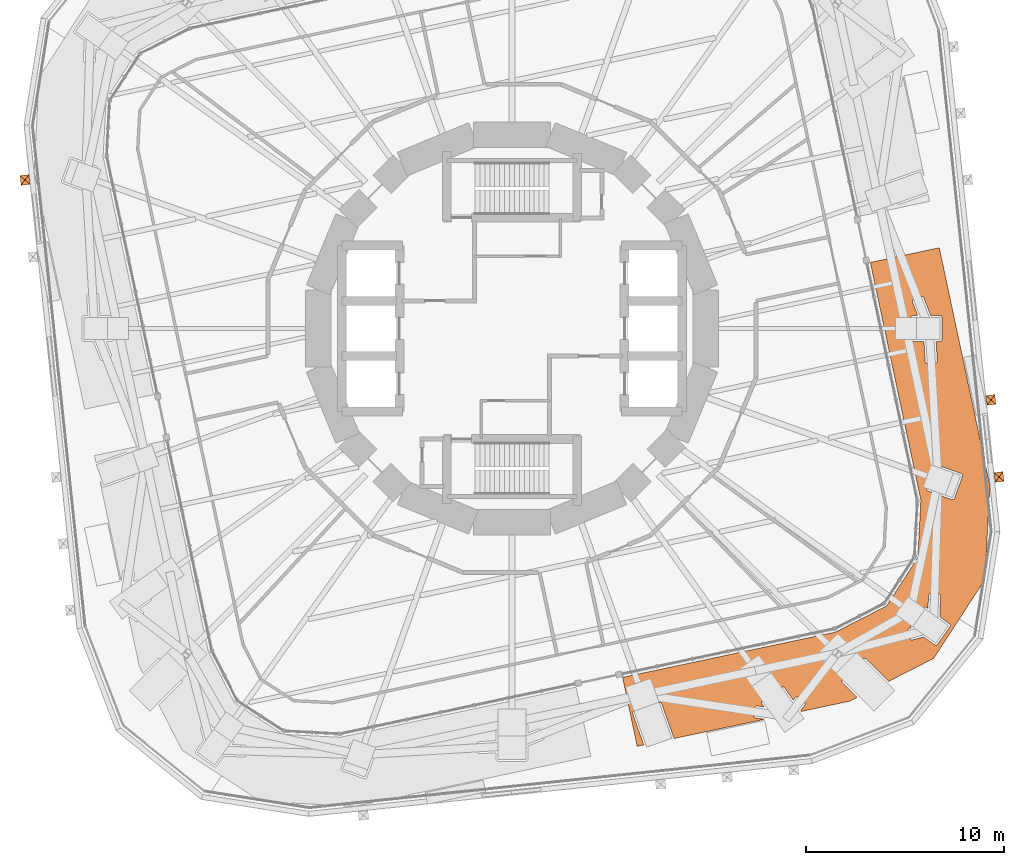
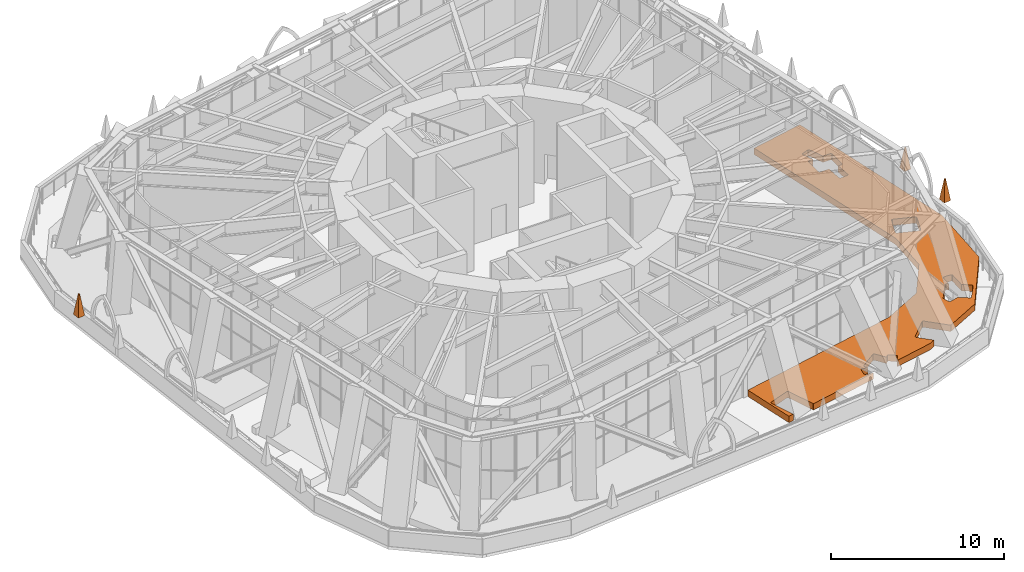
# One storey, part 21 of 23: 4 proxies.
"""IFC4 building model written with IfcOpenShell, lengths in metres."""

import ifcopenshell
import ifcopenshell.guid

model = None  # the IFC model being written
_history = None  # IfcOwnerHistory: only IFC2X3 demands one
_inside = {}  # id of a spatial element -> (the spatial element, [elements in it])
_under = {}  # id of a project, library or spatial element -> (it, [spatial elements below it])
_declared = {}  # id of a project -> (the project, [libraries it declares])
_typed = {}  # id of a type object -> (the type object, [elements of that type])
_made_of = {}  # id of a material, layer set ... -> (it, [elements and type objects made of it])


def new_model(schema):
    """Start an empty IFC model of exactly this schema.

    Asked for "IFC4X3", IfcOpenShell would pick the latest addendum, in which some entities
    have other attributes; the version numbers below select the first issue.
    IFC2X3 requires an IfcOwnerHistory on every rooted entity: one is made here for all.
    """
    global model, _history
    if schema == "IFC4X3":
        model = ifcopenshell.file(schema_version=(4, 3, 0, 0))
    else:
        model = ifcopenshell.file(schema=schema)
    _inside.clear()
    _under.clear()
    _declared.clear()
    _typed.clear()
    _made_of.clear()
    _history = None
    if model.schema == "IFC2X3":
        org = make("IfcOrganization", Name="unknown")
        user = make(
            "IfcPersonAndOrganization",
            ThePerson=make("IfcPerson", FamilyName="unknown"),
            TheOrganization=org,
        )
        app = make(
            "IfcApplication",
            ApplicationDeveloper=org,
            Version="unknown",
            ApplicationFullName="unknown",
            ApplicationIdentifier="unknown",
        )
        _history = make(
            "IfcOwnerHistory",
            OwningUser=user,
            OwningApplication=app,
            ChangeAction="ADDED",
            CreationDate=0,
        )
    return model


def make(cls, **values):
    """One entity of the class cls with the attributes given. An attribute that is None is left unset."""
    return model.create_entity(
        cls, **{name: value for name, value in values.items() if value is not None}
    )


def entity(cls, *values):
    """Any entity or typed value of the class cls, its attributes in the order of the schema. None: left unset."""
    e = model.create_entity(cls)
    for i, value in enumerate(values):
        if value is not None:
            e[i] = value
    return e


def rooted(cls, **values):
    """An entity with a GlobalId (a new one), such as an element, a storey or a relation."""
    return make(cls, GlobalId=ifcopenshell.guid.new(), OwnerHistory=_history, **values)


def si_unit(unit_type, name, prefix=None):
    """IfcSIUnit, for example si_unit("LENGTHUNIT", "METRE", prefix="MILLI")."""
    return make("IfcSIUnit", UnitType=unit_type, Prefix=prefix, Name=name)


def assignment(units):
    """IfcUnitAssignment: the units of a project."""
    return None if units is None else make("IfcUnitAssignment", Units=units)


def point(xyz):
    """IfcCartesianPoint."""
    return None if xyz is None else make("IfcCartesianPoint", Coordinates=xyz)


def direction(xyz):
    """IfcDirection."""
    return None if xyz is None else make("IfcDirection", DirectionRatios=xyz)


def frame(location, z_axis=None, x_axis=None):
    """IfcAxis2Placement3D, a coordinate frame: its origin and axes. An axis left out is left unset."""
    return make(
        "IfcAxis2Placement3D",
        Location=point(location),
        Axis=direction(z_axis),
        RefDirection=direction(x_axis),
    )


def origin():
    """The frame at (0, 0, 0) with its axes left unset."""
    return frame((0.0, 0.0, 0.0))


def place(relative_to, where):
    """IfcLocalPlacement: puts the frame where relative to a parent placement (None: the world)."""
    return make(
        "IfcLocalPlacement", PlacementRelTo=relative_to, RelativePlacement=where
    )


def context(
    kind, dimensions, precision=None, world=None, true_north=None, identifier=None
):
    """IfcGeometricRepresentationContext, for example the 3D "Model" context."""
    return make(
        "IfcGeometricRepresentationContext",
        ContextIdentifier=identifier,
        ContextType=kind,
        CoordinateSpaceDimension=dimensions,
        Precision=precision,
        WorldCoordinateSystem=world,
        TrueNorth=true_north,
    )


def subcontext(parent, identifier, kind, view, scale=None):
    """IfcGeometricRepresentationSubContext, for example "Body" below "Model"."""
    return make(
        "IfcGeometricRepresentationSubContext",
        ContextIdentifier=identifier,
        ContextType=kind,
        ParentContext=parent,
        TargetScale=scale,
        TargetView=view,
    )


def project(units=None, contexts=None):
    """IfcProject with its units and contexts."""
    return rooted(
        "IfcProject",
        Name="project",
        RepresentationContexts=contexts,
        UnitsInContext=assignment(units),
    )


def spatial(cls, under=None, at=None, **own):
    """A site, building, storey or space (cls), placed at a placement, below another one or the project."""
    s = rooted(cls, ObjectPlacement=at, **own)
    if under is not None:
        _under.setdefault(under.id(), (under, []))[1].append(s)
    return s


def polyline(points):
    """IfcPolyline through the points."""
    return make("IfcPolyline", Points=[point(p) for p in points])


def outline(outer, holes=None, kind="AREA"):
    """IfcArbitraryClosedProfileDef: a profile drawn as a closed curve; with holes, ...WithVoids."""
    if holes is None:
        return make("IfcArbitraryClosedProfileDef", ProfileType=kind, OuterCurve=outer)
    return make(
        "IfcArbitraryProfileDefWithVoids",
        ProfileType=kind,
        OuterCurve=outer,
        InnerCurves=holes,
    )


def extrude(swept, where, along, depth):
    """IfcExtrudedAreaSolid: the profile swept, set in the frame where, extruded along a direction by depth."""
    return make(
        "IfcExtrudedAreaSolid",
        SweptArea=swept,
        Position=where,
        ExtrudedDirection=direction(along),
        Depth=depth,
    )


def shape(context_of_items, identifier, shape_type, items):
    """IfcShapeRepresentation: the items that make up one representation, for example the "Body"."""
    return make(
        "IfcShapeRepresentation",
        ContextOfItems=context_of_items,
        RepresentationIdentifier=identifier,
        RepresentationType=shape_type,
        Items=items,
    )


def material(Name=None, Category=None):
    """IfcMaterial."""
    return make("IfcMaterial", Name=Name, Category=Category)


def made_of(thing, what):
    """Note that an element or type object is made of a material, layer set ...; save() writes the relation."""
    if what is not None:
        _made_of.setdefault(what.id(), (what, []))[1].append(thing)
    return thing


def type_object(cls, material=None, **own):
    """A type object (cls), such as IfcWallType, which elements share."""
    return made_of(rooted(cls, **own), material)


def element(
    cls,
    number,
    at=None,
    inside=None,
    cuts=None,
    type_object=None,
    material=None,
    context=None,
    identifier="Body",
    shape_type=None,
    held_by="IfcProductDefinitionShape",
    body=None,
    shapes=None,
    **own,
):
    """One element of the class cls, such as IfcWall. Its Tag is "e" and its number.

    at: its placement. inside: the storey or other place that contains it. cuts: it is an
    opening in that element (IfcRelVoidsElement). A single representation is given by context,
    identifier, shape_type and body (its items); several are given by shapes. held_by: the class
    of the entity that holds the representations. save() writes the other relations.
    """
    e = rooted(cls, Tag="e%d" % number, ObjectPlacement=at, **own)
    if body is not None:
        shapes = [shape(context, identifier, shape_type, body)]
    if shapes is not None:
        e.Representation = make(held_by, Representations=shapes)
    if inside is not None:
        _inside.setdefault(inside.id(), (inside, []))[1].append(e)
    if cuts is not None:
        rooted(
            "IfcRelVoidsElement", RelatingBuildingElement=cuts, RelatedOpeningElement=e
        )
    if type_object is not None:
        _typed.setdefault(type_object.id(), (type_object, []))[1].append(e)
    return made_of(e, material)


def aggregate(whole, parts):
    """IfcRelAggregates: a whole, such as a stair, and the parts it consists of."""
    return rooted("IfcRelAggregates", RelatingObject=whole, RelatedObjects=parts)


def save(model, path):
    """Write the relations noted so far, then the file.

    IfcRelAggregates (storeys below a building ...), IfcRelContainedInSpatialStructure (elements
    in a storey), IfcRelDefinesByType, IfcRelAssociatesMaterial and IfcRelDeclares: one each for
    every whole, place, type object, material and project.
    """
    for whole, parts in _under.values():
        aggregate(whole, parts)
    for where, things in _inside.values():
        rooted(
            "IfcRelContainedInSpatialStructure",
            RelatedElements=things,
            RelatingStructure=where,
        )
    for kind, things in _typed.values():
        rooted("IfcRelDefinesByType", RelatedObjects=things, RelatingType=kind)
    for what, things in _made_of.values():
        rooted("IfcRelAssociatesMaterial", RelatedObjects=things, RelatingMaterial=what)
    for by, libraries in _declared.values():
        rooted("IfcRelDeclares", RelatingContext=by, RelatedDefinitions=libraries)
    model.write(path)


model = new_model("IFC4")

# Units and contexts
model_context = context("Model", 3, precision=1e-05, world=origin(), true_north=direction((0.0, 1.0)))
body_context = subcontext(model_context, "Body", "Model", "MODEL_VIEW")
ifc_project = project(units=[si_unit("LENGTHUNIT", "METRE"), si_unit("AREAUNIT", "SQUARE_METRE"), si_unit("VOLUMEUNIT", "CUBIC_METRE"), si_unit("PLANEANGLEUNIT", "RADIAN"), si_unit("MASSUNIT", "GRAM", prefix="KILO")], contexts=[model_context])

# Site, building, storey
site_placement = place(None, origin())
site = spatial("IfcSite", under=ifc_project, at=site_placement, CompositionType="ELEMENT")
building_placement = place(site_placement, origin())
building = spatial("IfcBuilding", under=site, at=building_placement, Name="Nakasero Lantern House", CompositionType="ELEMENT")
storey_placement = place(building_placement, frame((0.0, 0.0, 95.14990234375)))
storey = spatial("IfcBuildingStorey", under=building, at=storey_placement, Name="L23", CompositionType="ELEMENT", Elevation=95.14990234375)

# Proxies
ifc_material_1 = material(Name="Concrete C40/50 precast", Category="concrete")
building_element_proxy_type_1 = type_object("IfcBuildingElementProxyType", Name="Pinnacle 500x450", PredefinedType="USERDEFINED", material=ifc_material_1)
for number, where, z_axis, x_axis, name in (
    (1, (24.6455078125, -7.514404296875, 1.10009765625), (0.0, 0.0, 1.0), (0.994521895368, 0.104528463268, 0.0), "Pinnacle B2 0-00"),
    (2, (24.235595703125, -3.61474609375, 1.10009765625), (0.0, 0.0, 1.0), (0.994521895368, 0.104528463268, 0.0), "Pinnacle B2 0-01"),
    (3, (-24.6455078125, 7.514404296875, 1.10009765625), (0.0, 0.0, 1.0), (-0.994521895368, -0.104528463268, 0.0), "Pinnacle B2 2-00"),
):
    element("IfcBuildingElementProxy", number, at=place(storey_placement, frame(where, z_axis=z_axis, x_axis=x_axis)), inside=storey, type_object=building_element_proxy_type_1, Name=name, ObjectType="PINNACLE", PredefinedType="USERDEFINED", context=body_context, shape_type="SweptSolid", body=[
        entity("IfcExtrudedAreaSolidTapered", entity("IfcRectangleProfileDef", "AREA", None, entity("IfcAxis2Placement2D", entity("IfcCartesianPoint", [0.0, 0.0])), 0.449951171875, 0.5), entity("IfcAxis2Placement3D", entity("IfcCartesianPoint", [0.0, 0.0, 0.0])), entity("IfcDirection", [0.0, 0.0, 1.0]), 1.5, entity("IfcRectangleProfileDef", "AREA", None, entity("IfcAxis2Placement2D", entity("IfcCartesianPoint", [0.0, 0.0])), 0.06005859375, 0.06005859375)),
    ])
ifc_material_2 = material(Name="Planting substrate", Category="soil")
building_element_proxy_type_2 = type_object("IfcBuildingElementProxyType", Name="Planter bed 450", PredefinedType="USERDEFINED", material=ifc_material_2)
proxy_placement = place(storey_placement, origin())
element("IfcBuildingElementProxy", 4, at=proxy_placement, inside=storey, type_object=building_element_proxy_type_2, Name="Planter bed L23 2-1", ObjectType="PLANTER BED", PredefinedType="USERDEFINED", context=body_context, shape_type="SweptSolid", body=[
    extrude(outline(polyline([(19.05908203125, -17.85693359375), (17.924560546875, -16.72265625), (17.91748046875, -16.716064453125), (17.909423828125, -16.710205078125), (17.901123046875, -16.705078125), (17.892333984375, -16.700927734375), (17.883056640625, -16.697509765625), (17.87353515625, -16.6953125), (17.86376953125, -16.69384765625), (17.85400390625, -16.693359375), (17.84423828125, -16.69384765625), (17.83447265625, -16.6953125), (17.824951171875, -16.697509765625), (17.815673828125, -16.700927734375), (17.806884765625, -16.705078125), (17.79833984375, -16.710205078125), (17.79052734375, -16.716064453125), (17.783203125, -16.72265625), (16.72265625, -17.783203125), (16.716064453125, -17.79052734375), (16.710205078125, -17.79833984375), (16.705078125, -17.806884765625), (16.700927734375, -17.815673828125), (16.697509765625, -17.824951171875), (16.6953125, -17.83447265625), (16.69384765625, -17.84423828125), (16.693359375, -17.85400390625), (16.69384765625, -17.86376953125), (16.6953125, -17.87353515625), (16.697509765625, -17.883056640625), (16.700927734375, -17.892333984375), (16.705078125, -17.901123046875), (16.710205078125, -17.909423828125), (16.716064453125, -17.91748046875), (16.72265625, -17.924560546875), (17.46630859375, -18.66845703125), (17.09423828125, -18.85791015625), (14.64013671875, -19.379638671875), (14.603515625, -19.328125), (14.816650390625, -19.051513671875), (14.822265625, -19.04345703125), (14.826904296875, -19.034912109375), (14.830810546875, -19.02587890625), (14.833984375, -19.0166015625), (14.8359375, -19.0068359375), (14.837158203125, -18.9970703125), (14.83740234375, -18.9873046875), (14.836669921875, -18.9775390625), (14.834716796875, -18.968017578125), (14.83203125, -18.95849609375), (14.82861328125, -18.949462890625), (14.823974609375, -18.940673828125), (14.81884765625, -18.932373046875), (14.812744140625, -18.924560546875), (14.805908203125, -18.91748046875), (14.79833984375, -18.9111328125), (14.471923828125, -18.65966796875), (14.4638671875, -18.654052734375), (14.455322265625, -18.6494140625), (14.4462890625, -18.6455078125), (14.43701171875, -18.642333984375), (14.42724609375, -18.640380859375), (14.41748046875, -18.63916015625), (14.40771484375, -18.638916015625), (14.39794921875, -18.6396484375), (14.388427734375, -18.6416015625), (14.37890625, -18.644287109375), (14.36962890625, -18.647705078125), (14.361083984375, -18.65234375), (14.352783203125, -18.657470703125), (14.344970703125, -18.66357421875), (14.337890625, -18.67041015625), (14.33154296875, -18.677978515625), (14.232421875, -18.806640625), (13.792236328125, -18.1875), (13.786376953125, -18.179931640625), (13.779541015625, -18.1728515625), (13.77197265625, -18.16650390625), (13.763916015625, -18.160888671875), (13.75537109375, -18.156005859375), (13.746337890625, -18.152099609375), (13.737060546875, -18.149169921875), (13.7275390625, -18.14697265625), (13.7177734375, -18.145751953125), (13.7080078125, -18.1455078125), (13.6982421875, -18.146484375), (13.6884765625, -18.148193359375), (13.678955078125, -18.150634765625), (13.669921875, -18.154296875), (13.6611328125, -18.15869140625), (13.65283203125, -18.1640625), (12.675048828125, -18.859375), (12.667236328125, -18.865478515625), (12.66015625, -18.872314453125), (12.65380859375, -18.8798828125), (12.648193359375, -18.887939453125), (12.643310546875, -18.896484375), (12.639404296875, -18.905517578125), (12.636474609375, -18.914794921875), (12.63427734375, -18.92431640625), (12.633056640625, -18.93408203125), (12.633056640625, -18.94384765625), (12.6337890625, -18.95361328125), (12.635498046875, -18.96337890625), (12.63818359375, -18.972900390625), (12.6416015625, -18.98193359375), (12.646240234375, -18.99072265625), (12.6513671875, -18.9990234375), (12.7626953125, -19.155517578125), (12.410400390625, -19.102294921875), (12.400634765625, -19.101318359375), (12.390625, -19.101318359375), (12.380859375, -19.102294921875), (12.371337890625, -19.104248046875), (12.36181640625, -19.107177734375), (12.352783203125, -19.11083984375), (12.34423828125, -19.115478515625), (12.3359375, -19.120849609375), (12.328369140625, -19.126953125), (12.321533203125, -19.134033203125), (12.315185546875, -19.1416015625), (12.309814453125, -19.149658203125), (12.30517578125, -19.158447265625), (12.30126953125, -19.16748046875), (12.29833984375, -19.1767578125), (12.296630859375, -19.186279296875), (12.235107421875, -19.593994140625), (12.234130859375, -19.603759765625), (12.234130859375, -19.613525390625), (12.235107421875, -19.623291015625), (12.23681640625, -19.633056640625), (12.23974609375, -19.642333984375), (12.243408203125, -19.6513671875), (12.248046875, -19.66015625), (12.25341796875, -19.668212890625), (12.259765625, -19.67578125), (12.2666015625, -19.682861328125), (12.274169921875, -19.68896484375), (12.282470703125, -19.694580078125), (12.291015625, -19.69921875), (12.300048828125, -19.702880859375), (12.309326171875, -19.705810546875), (12.319091796875, -19.707763671875), (12.589599609375, -19.74853515625), (12.77392578125, -19.7763671875), (8.18701171875, -20.751220703125), (8.1875, -20.7490234375), (8.1884765625, -20.7392578125), (8.1884765625, -20.7294921875), (8.1875, -20.7197265625), (8.185546875, -20.710205078125), (8.182861328125, -20.70068359375), (7.752197265625, -19.489990234375), (7.573974609375, -18.988525390625), (7.5703125, -18.9794921875), (7.565673828125, -18.970947265625), (7.560302734375, -18.962646484375), (7.553955078125, -18.955078125), (7.547119140625, -18.9482421875), (7.53955078125, -18.94189453125), (7.531494140625, -18.9365234375), (7.522705078125, -18.931884765625), (7.513671875, -18.927978515625), (7.50439453125, -18.925048828125), (7.49462890625, -18.923095703125), (7.48486328125, -18.922119140625), (7.47509765625, -18.922119140625), (7.46533203125, -18.923095703125), (7.455810546875, -18.925048828125), (7.4462890625, -18.927978515625), (6.17431640625, -19.380126953125), (6.165283203125, -19.3837890625), (6.156494140625, -19.388427734375), (6.1484375, -19.393798828125), (6.140869140625, -19.400146484375), (6.1337890625, -19.406982421875), (6.127685546875, -19.41455078125), (6.1220703125, -19.4228515625), (6.117431640625, -19.431396484375), (6.11376953125, -19.4404296875), (6.11083984375, -19.449951171875), (6.10888671875, -19.45947265625), (6.10791015625, -19.46923828125), (6.10791015625, -19.47900390625), (6.10888671875, -19.48876953125), (6.11083984375, -19.49853515625), (6.113525390625, -19.5078125), (6.291748046875, -20.00927734375), (6.67041015625, -21.07373046875), (6.334716796875, -21.14501953125), (5.592529296875, -17.653076171875), (16.35205078125, -15.365966796875), (18.94873046875, -14.04296875), (20.535888671875, -11.598876953125), (20.6884765625, -8.6884765625), (18.131103515625, 3.3427734375), (21.623291015625, 4.0849609375), (24.180419921875, -7.9462890625), (23.931396484375, -12.701904296875), (21.337646484375, -16.696044921875), (19.05908203125, -17.85693359375)]), holes=[polyline([(20.230224609375, -15.76123046875), (20.239990234375, -15.761962890625), (20.25, -15.761962890625), (20.259765625, -15.760986328125), (20.269287109375, -15.7587890625), (20.832763671875, -15.61181640625), (21.088623046875, -15.7939453125), (21.386962890625, -16.006103515625), (21.395263671875, -16.011474609375), (21.404052734375, -16.015869140625), (21.4130859375, -16.01953125), (21.422607421875, -16.022216796875), (21.432373046875, -16.02392578125), (21.442138671875, -16.024658203125), (21.451904296875, -16.0244140625), (21.461669921875, -16.023193359375), (21.47119140625, -16.021240234375), (21.48046875, -16.01806640625), (21.489501953125, -16.01416015625), (21.498046875, -16.00927734375), (21.506103515625, -16.003662109375), (21.513671875, -15.997314453125), (21.520263671875, -15.990234375), (21.5263671875, -15.982666015625), (22.163818359375, -15.086181640625), (22.169189453125, -15.077880859375), (22.173583984375, -15.069091796875), (22.17724609375, -15.06005859375), (22.179931640625, -15.050537109375), (22.181640625, -15.040771484375), (22.182373046875, -15.031005859375), (22.18212890625, -15.021240234375), (22.18115234375, -15.011474609375), (22.178955078125, -15.001953125), (22.17578125, -14.99267578125), (22.171875, -14.983642578125), (22.167236328125, -14.97509765625), (22.16162109375, -14.967041015625), (22.1552734375, -14.95947265625), (22.148193359375, -14.95263671875), (22.140380859375, -14.94677734375), (21.652099609375, -14.599365234375), (21.685546875, -13.544921875), (21.685302734375, -13.53515625), (21.68408203125, -13.525390625), (21.68212890625, -13.515869140625), (21.678955078125, -13.506591796875), (21.675048828125, -13.49755859375), (21.67041015625, -13.489013671875), (21.664794921875, -13.48095703125), (21.658447265625, -13.473388671875), (21.6513671875, -13.466552734375), (21.6435546875, -13.46044921875), (21.635498046875, -13.455078125), (21.626708984375, -13.45068359375), (21.617431640625, -13.447021484375), (21.608154296875, -13.4443359375), (21.598388671875, -13.442626953125), (21.588623046875, -13.44189453125), (21.1767578125, -13.4287109375), (21.166748046875, -13.428955078125), (21.1572265625, -13.43017578125), (21.1474609375, -13.43212890625), (21.13818359375, -13.435302734375), (21.129150390625, -13.439208984375), (21.12060546875, -13.44384765625), (21.112548828125, -13.449462890625), (21.10498046875, -13.455810546875), (21.09814453125, -13.462890625), (21.092041015625, -13.470703125), (21.0869140625, -13.478759765625), (21.082275390625, -13.487548828125), (21.078857421875, -13.496826171875), (21.076171875, -13.506103515625), (21.074462890625, -13.515869140625), (21.073486328125, -13.525634765625), (21.06494140625, -13.798095703125), (21.052978515625, -14.17333984375), (20.97021484375, -14.11474609375), (20.962158203125, -14.109375), (20.953369140625, -14.10498046875), (20.944091796875, -14.101318359375), (20.934814453125, -14.0986328125), (20.925048828125, -14.096923828125), (20.915283203125, -14.09619140625), (20.905517578125, -14.096435546875), (20.895751953125, -14.097412109375), (20.88623046875, -14.099609375), (20.876708984375, -14.102783203125), (20.867919921875, -14.106689453125), (20.859130859375, -14.111328125), (20.851318359375, -14.116943359375), (20.84375, -14.123291015625), (20.8369140625, -14.13037109375), (20.830810546875, -14.13818359375), (20.193359375, -15.03466796875), (20.18798828125, -15.04296875), (20.18359375, -15.0517578125), (20.18017578125, -15.060791015625), (20.177490234375, -15.0703125), (20.17578125, -15.079833984375), (20.175048828125, -15.089599609375), (20.175048828125, -15.099365234375), (20.17626953125, -15.109130859375), (20.178466796875, -15.118896484375), (20.181396484375, -15.128173828125), (20.185302734375, -15.13720703125), (20.190185546875, -15.145751953125), (20.19091796875, -15.146728515625), (20.11474609375, -15.16650390625), (20.10546875, -15.16943359375), (20.096435546875, -15.17333984375), (20.087646484375, -15.177978515625), (20.07958984375, -15.18359375), (20.072021484375, -15.189697265625), (20.065185546875, -15.19677734375), (20.05908203125, -15.204345703125), (20.0537109375, -15.212646484375), (20.049072265625, -15.221435546875), (20.04541015625, -15.23046875), (20.042724609375, -15.239990234375), (20.041015625, -15.24951171875), (20.0400390625, -15.25927734375), (20.040283203125, -15.26904296875), (20.041259765625, -15.27880859375), (20.043212890625, -15.28857421875), (20.147216796875, -15.687255859375), (20.150146484375, -15.69677734375), (20.154052734375, -15.705810546875), (20.15869140625, -15.71435546875), (20.164306640625, -15.722412109375), (20.170654296875, -15.72998046875), (20.177490234375, -15.73681640625), (20.185302734375, -15.742919921875), (20.193359375, -15.748291015625), (20.2021484375, -15.7529296875), (20.211181640625, -15.756591796875), (20.220703125, -15.75927734375), (20.230224609375, -15.76123046875)]), polyline([(22.372802734375, -8.632080078125), (22.37890625, -8.62451171875), (22.384521484375, -8.616455078125), (22.388916015625, -8.607666015625), (22.392822265625, -8.5986328125), (22.794677734375, -7.468017578125), (22.797607421875, -7.45849609375), (22.799560546875, -7.448974609375), (22.800537109375, -7.439208984375), (22.80029296875, -7.429443359375), (22.79931640625, -7.419677734375), (22.797607421875, -7.409912109375), (22.794677734375, -7.400634765625), (22.790771484375, -7.3916015625), (22.7861328125, -7.3828125), (22.78076171875, -7.374755859375), (22.7744140625, -7.3671875), (22.767578125, -7.3603515625), (22.760009765625, -7.35400390625), (22.751708984375, -7.3486328125), (22.7431640625, -7.343994140625), (22.734130859375, -7.34033203125), (22.63671875, -7.3056640625), (21.508544921875, -6.904541015625), (21.4990234375, -6.901611328125), (21.489501953125, -6.89990234375), (21.479736328125, -6.89892578125), (21.469970703125, -6.89892578125), (21.460205078125, -6.89990234375), (21.450439453125, -6.90185546875), (21.441162109375, -6.90478515625), (21.43212890625, -6.908447265625), (21.42333984375, -6.9130859375), (21.415283203125, -6.91845703125), (21.40771484375, -6.9248046875), (21.40087890625, -6.931640625), (21.39453125, -6.939453125), (21.38916015625, -6.947509765625), (21.384521484375, -6.956298828125), (21.380859375, -6.96533203125), (20.978759765625, -8.095947265625), (20.975830078125, -8.105224609375), (20.97412109375, -8.114990234375), (20.97314453125, -8.124755859375), (20.97314453125, -8.134521484375), (20.97412109375, -8.144287109375), (20.97607421875, -8.15380859375), (20.97900390625, -8.163330078125), (20.982666015625, -8.17236328125), (20.9873046875, -8.180908203125), (20.99267578125, -8.189208984375), (20.9990234375, -8.19677734375), (21.006103515625, -8.20361328125), (21.013671875, -8.2099609375), (21.021728515625, -8.21533203125), (21.030517578125, -8.219970703125), (21.03955078125, -8.2236328125), (22.167724609375, -8.624755859375), (22.26513671875, -8.659423828125), (22.2744140625, -8.662109375), (22.283935546875, -8.6640625), (22.293701171875, -8.6650390625), (22.3037109375, -8.6650390625), (22.3134765625, -8.6640625), (22.322998046875, -8.662109375), (22.33251953125, -8.6591796875), (22.341552734375, -8.655517578125), (22.35009765625, -8.65087890625), (22.358154296875, -8.645263671875), (22.36572265625, -8.63916015625), (22.372802734375, -8.632080078125)]), polyline([(20.965576171875, -1.765625), (20.974609375, -1.769287109375), (20.984130859375, -1.77197265625), (20.99365234375, -1.77392578125), (21.00341796875, -1.774658203125), (21.013427734375, -1.774658203125), (21.4248046875, -1.75048828125), (21.4345703125, -1.74951171875), (21.444091796875, -1.747314453125), (21.45361328125, -1.744384765625), (21.462646484375, -1.74072265625), (21.47119140625, -1.73583984375), (21.479248046875, -1.73046875), (21.48681640625, -1.72412109375), (21.49365234375, -1.717041015625), (21.499755859375, -1.70947265625), (21.505126953125, -1.701171875), (21.509765625, -1.692626953125), (21.513427734375, -1.683349609375), (21.51611328125, -1.674072265625), (21.51806640625, -1.664306640625), (21.518798828125, -1.654541015625), (21.518798828125, -1.644775390625), (21.46044921875, -0.64990234375), (21.6552734375, -0.64990234375), (21.6650390625, -0.6494140625), (21.6748046875, -0.648193359375), (21.684326171875, -0.645751953125), (21.693603515625, -0.642333984375), (21.702392578125, -0.63818359375), (21.7109375, -0.633056640625), (21.71875, -0.627197265625), (21.72607421875, -0.62060546875), (21.732666015625, -0.613525390625), (21.738525390625, -0.60546875), (21.743408203125, -0.59716796875), (21.747802734375, -0.58837890625), (21.7509765625, -0.5791015625), (21.75341796875, -0.569580078125), (21.7548828125, -0.559814453125), (21.75537109375, -0.550048828125), (21.75537109375, 0.550048828125), (21.7548828125, 0.559814453125), (21.75341796875, 0.569580078125), (21.7509765625, 0.5791015625), (21.747802734375, 0.58837890625), (21.743408203125, 0.59716796875), (21.738525390625, 0.60546875), (21.732666015625, 0.613525390625), (21.72607421875, 0.62060546875), (21.71875, 0.627197265625), (21.7109375, 0.633056640625), (21.702392578125, 0.63818359375), (21.693603515625, 0.642333984375), (21.684326171875, 0.645751953125), (21.6748046875, 0.648193359375), (21.6650390625, 0.6494140625), (21.6552734375, 0.64990234375), (21.18994140625, 0.64990234375), (20.937744140625, 1.2939453125), (20.834716796875, 1.556884765625), (20.830810546875, 1.565673828125), (20.825927734375, 1.57421875), (20.820068359375, 1.582275390625), (20.813720703125, 1.589599609375), (20.806640625, 1.596435546875), (20.798828125, 1.602294921875), (20.79052734375, 1.607666015625), (20.78173828125, 1.612060546875), (20.7724609375, 1.615478515625), (20.762939453125, 1.617919921875), (20.75341796875, 1.61962890625), (20.74365234375, 1.620361328125), (20.733642578125, 1.6201171875), (20.72412109375, 1.618896484375), (20.71435546875, 1.61669921875), (20.705078125, 1.613525390625), (20.3212890625, 1.463134765625), (20.3125, 1.459228515625), (20.303955078125, 1.454345703125), (20.2958984375, 1.448486328125), (20.28857421875, 1.442138671875), (20.28173828125, 1.43505859375), (20.275634765625, 1.42724609375), (20.2705078125, 1.4189453125), (20.26611328125, 1.41015625), (20.2626953125, 1.40087890625), (20.260009765625, 1.391357421875), (20.258544921875, 1.3818359375), (20.2578125, 1.3720703125), (20.258056640625, 1.362060546875), (20.25927734375, 1.3525390625), (20.261474609375, 1.3427734375), (20.2646484375, 1.33349609375), (20.532470703125, 0.64990234375), (20.275634765625, 0.64990234375), (20.265625, 0.6494140625), (20.256103515625, 0.648193359375), (20.24658203125, 0.645751953125), (20.2373046875, 0.642333984375), (20.228515625, 0.63818359375), (20.219970703125, 0.633056640625), (20.212158203125, 0.627197265625), (20.204833984375, 0.62060546875), (20.1982421875, 0.613525390625), (20.1923828125, 0.60546875), (20.187255859375, 0.59716796875), (20.18310546875, 0.58837890625), (20.179931640625, 0.5791015625), (20.177490234375, 0.569580078125), (20.176025390625, 0.559814453125), (20.175537109375, 0.550048828125), (20.175537109375, -0.550048828125), (20.176025390625, -0.559814453125), (20.177490234375, -0.569580078125), (20.179931640625, -0.5791015625), (20.18310546875, -0.58837890625), (20.187255859375, -0.59716796875), (20.1923828125, -0.60546875), (20.1982421875, -0.613525390625), (20.204833984375, -0.62060546875), (20.212158203125, -0.627197265625), (20.219970703125, -0.633056640625), (20.228515625, -0.63818359375), (20.2373046875, -0.642333984375), (20.24658203125, -0.645751953125), (20.256103515625, -0.648193359375), (20.265625, -0.6494140625), (20.275634765625, -0.64990234375), (20.84716796875, -0.64990234375), (20.891845703125, -1.412353515625), (20.90771484375, -1.6806640625), (20.90869140625, -1.6904296875), (20.91064453125, -1.699951171875), (20.91357421875, -1.70947265625), (20.91748046875, -1.718505859375), (20.922119140625, -1.72705078125), (20.927734375, -1.735107421875), (20.93408203125, -1.74267578125), (20.94091796875, -1.74951171875), (20.94873046875, -1.755615234375), (20.956787109375, -1.760986328125), (20.965576171875, -1.765625)])]), origin(), (0.0, 0.0, 1.0), 0.4501953125),
])

save(model, "model.ifc")
